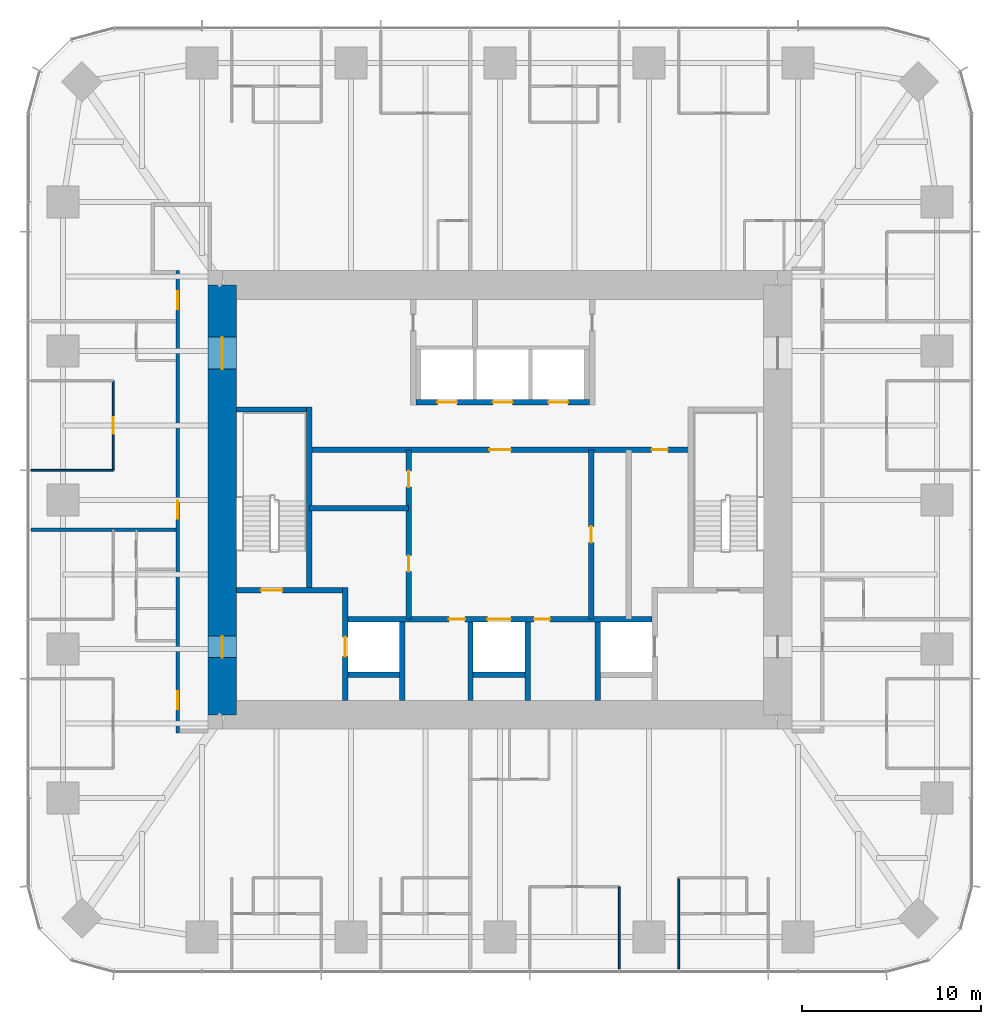
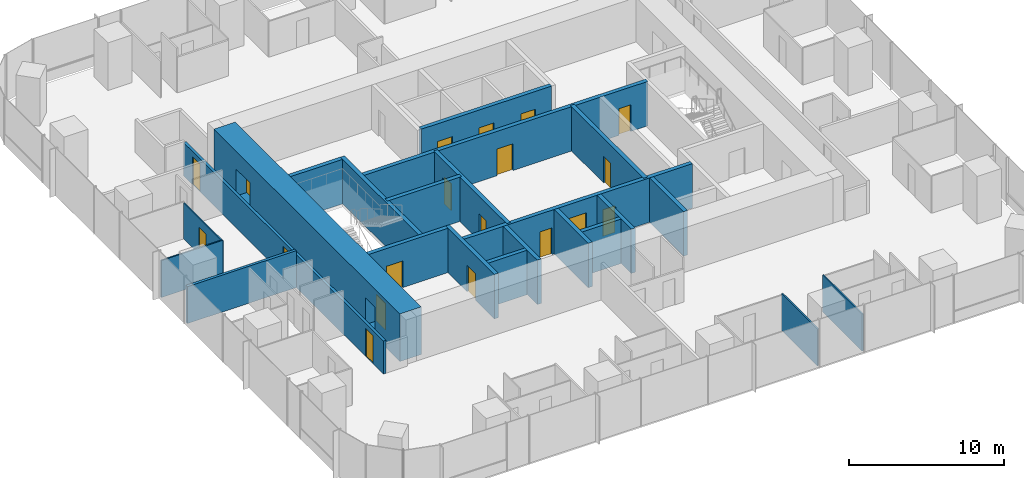
# One storey, part 9 of 12: 23 walls, 19 doors, 19 openings.
"""IFC4 building model written with IfcOpenShell, lengths in metres."""

from ifc_helpers import new_model, si_unit, direction, frame, frame_2d, origin, place, context, subcontext, project, spatial, rectangle, extrude, material, layer, layer_set, type_object, element, fill, save


model = new_model("IFC4")

# Units and contexts
model_context = context("Model", 3, precision=1e-05, world=origin(), true_north=direction((0.0, 1.0)))
body_context = subcontext(model_context, "Body", "Model", "MODEL_VIEW")
ifc_project = project(units=[si_unit("LENGTHUNIT", "METRE"), si_unit("AREAUNIT", "SQUARE_METRE"), si_unit("VOLUMEUNIT", "CUBIC_METRE"), si_unit("PLANEANGLEUNIT", "RADIAN"), si_unit("MASSUNIT", "GRAM", prefix="KILO")], contexts=[model_context])

# Site, building, storey
site_placement = place(None, origin())
site = spatial("IfcSite", under=ifc_project, at=site_placement, CompositionType="ELEMENT")
building_placement = place(site_placement, origin())
building = spatial("IfcBuilding", under=site, at=building_placement, Name="Khuree Lantern Residences", CompositionType="ELEMENT")
storey_placement = place(building_placement, frame((0.0, 0.0, 218.25)))
storey = spatial("IfcBuildingStorey", under=building, at=storey_placement, Name="L54", CompositionType="ELEMENT", Elevation=218.25)

# Wall, opening, door
ifc_material_1 = material(Name="Dense concrete blockwork", Category="masonry")
ifc_layer_1 = layer(ifc_material_1, 0.300048828125)
ifc_layer_set_1 = layer_set([ifc_layer_1], Name="CORE PARTITION WALL CPW300 EI 120")
wall_type_1 = type_object("IfcWallType", Name="CORE PARTITION WALL CPW300 EI 120", PredefinedType="PARTITIONING", material=ifc_layer_set_1)
wall_1_placement = place(storey_placement, frame((-8.64990234375, -11.199951171875, 0.0), z_axis=(0.0, 0.0, 1.0), x_axis=(0.0, 1.0, 0.0)))
wall_1 = element("IfcWall", 1, at=wall_1_placement, inside=storey, type_object=wall_type_1, Name="L54 CORE WALL FL1W", PredefinedType="PARTITIONING", context=body_context, shape_type="SweptSolid", body=[
    extrude(rectangle(XDim=6.300048828125, YDim=0.300048828125, at=frame_2d((3.14990234375, 0.0))), origin(), (0.0, 0.0, 1.0), 3.5),
])
opening_1_placement = place(wall_1_placement, frame((2.449951171875, 0.0, 0.0)))
opening_1 = element("IfcOpeningElement", 2, at=opening_1_placement, cuts=wall_1, Name="Opening 54-007", PredefinedType="OPENING", context=body_context, shape_type="SweptSolid", body=[
    extrude(rectangle(XDim=1.10009765625, YDim=2.10009765625, at=frame_2d((0.550048828125, 1.050048828125))), frame((0.0, 0.16015625, 0.0), z_axis=(0.0, -1.0, 0.0), x_axis=(1.0, 0.0, 0.0)), (0.0, 0.0, 1.0), 0.320068359375),
])
ifc_material_2 = material(Name="Stainless steel lift landing door", Category="steel")
door_type_1 = type_object("IfcDoorType", Name="LIFT LANDING DOOR 1100X2100 E 120", OperationType="DOUBLE_DOOR_SLIDING", PredefinedType="DOOR", material=ifc_material_2)
door_1_placement = place(opening_1_placement, origin())
door_1 = element("IfcDoor", 3, at=door_1_placement, inside=storey, type_object=door_type_1, Name="Landing door FL1 54-007", OperationType="DOUBLE_DOOR_SLIDING", OverallHeight=2.10009765625, OverallWidth=1.10009765625, PredefinedType="DOOR", context=body_context, shape_type="SweptSolid", body=[
    extrude(rectangle(XDim=1.10009765625, YDim=2.10009765625, at=frame_2d((0.550048828125, 1.050048828125))), frame((0.0, 0.02490234375, 0.0), z_axis=(0.0, -1.0, 0.0), x_axis=(1.0, 0.0, 0.0)), (0.0, 0.0, 1.0), 0.050048828125),
])
fill(opening_1, door_1)

# Wall, openings, doors
wall_2_placement = place(storey_placement, frame((-8.5, -6.64990234375, 0.0), z_axis=(0.0, 0.0, 1.0), x_axis=(1.0, 0.0, 0.0)))
wall_2 = element("IfcWall", 4, at=wall_2_placement, inside=storey, type_object=wall_type_1, Name="L54 CORE WALL FLROW", PredefinedType="PARTITIONING", context=body_context, shape_type="SweptSolid", body=[
    extrude(rectangle(XDim=17.0, YDim=0.300048828125, at=frame_2d((8.5, 0.0))), origin(), (0.0, 0.0, 1.0), 3.5),
])
opening_2_placement = place(wall_2_placement, frame((7.800048828125, 0.0, 0.0)))
opening_2 = element("IfcOpeningElement", 5, at=opening_2_placement, cuts=wall_2, Name="Opening 54-012", PredefinedType="OPENING", context=body_context, shape_type="SweptSolid", body=[
    extrude(rectangle(XDim=1.300048828125, YDim=2.39990234375, at=frame_2d((0.64990234375, 1.199951171875))), frame((0.0, 0.16015625, 0.0), z_axis=(0.0, -1.0, 0.0), x_axis=(1.0, 0.0, 0.0)), (0.0, 0.0, 1.0), 0.320068359375),
])
opening_3_placement = place(wall_2_placement, frame((5.64990234375, 0.0, 0.0)))
opening_3 = element("IfcOpeningElement", 6, at=opening_3_placement, cuts=wall_2, Name="Opening 54-014", PredefinedType="OPENING", context=body_context, shape_type="SweptSolid", body=[
    extrude(rectangle(XDim=0.89990234375, YDim=2.10009765625, at=frame_2d((0.449951171875, 1.050048828125))), frame((0.0, 0.16015625, 0.0), z_axis=(0.0, -1.0, 0.0), x_axis=(1.0, 0.0, 0.0)), (0.0, 0.0, 1.0), 0.320068359375),
])
opening_4_placement = place(wall_2_placement, frame((10.39990234375, 0.0, 0.0)))
opening_4 = element("IfcOpeningElement", 7, at=opening_4_placement, cuts=wall_2, Name="Opening 54-015", PredefinedType="OPENING", context=body_context, shape_type="SweptSolid", body=[
    extrude(rectangle(XDim=0.89990234375, YDim=2.10009765625, at=frame_2d((0.449951171875, 1.050048828125))), frame((0.0, 0.16015625, 0.0), z_axis=(0.0, -1.0, 0.0), x_axis=(1.0, 0.0, 0.0)), (0.0, 0.0, 1.0), 0.320068359375),
])
ifc_material_3 = material(Name="Steel door leaf in steel frame", Category="steel")
door_type_2 = type_object("IfcDoorType", Name="DOOR 900X2100 EI 60", OperationType="SINGLE_SWING_LEFT", PredefinedType="DOOR", material=ifc_material_3)
door_2_placement = place(opening_3_placement, origin())
door_2 = element("IfcDoor", 8, at=door_2_placement, inside=storey, type_object=door_type_2, Name="Refuse chute room door 54-014", OperationType="SINGLE_SWING_LEFT", OverallHeight=2.10009765625, OverallWidth=0.89990234375, PredefinedType="DOOR", context=body_context, shape_type="SweptSolid", body=[
    extrude(rectangle(XDim=0.89990234375, YDim=2.10009765625, at=frame_2d((0.449951171875, 1.050048828125))), frame((0.0, 0.02490234375, 0.0), z_axis=(0.0, -1.0, 0.0), x_axis=(1.0, 0.0, 0.0)), (0.0, 0.0, 1.0), 0.050048828125),
])
fill(opening_3, door_2)
door_type_3 = type_object("IfcDoorType", Name="DOOR 900X2100 EI 60 RIGHT HAND", OperationType="SINGLE_SWING_RIGHT", PredefinedType="DOOR", material=ifc_material_3)
door_3_placement = place(opening_4_placement, origin())
door_3 = element("IfcDoor", 9, at=door_3_placement, inside=storey, type_object=door_type_3, Name="Electrical and plumbing riser door 54-015", OperationType="SINGLE_SWING_RIGHT", OverallHeight=2.10009765625, OverallWidth=0.89990234375, PredefinedType="DOOR", context=body_context, shape_type="SweptSolid", body=[
    extrude(rectangle(XDim=0.89990234375, YDim=2.10009765625, at=frame_2d((0.449951171875, 1.050048828125))), frame((0.0, 0.02490234375, 0.0), z_axis=(0.0, -1.0, 0.0), x_axis=(1.0, 0.0, 0.0)), (0.0, 0.0, 1.0), 0.050048828125),
])
fill(opening_4, door_3)
door_type_4 = type_object("IfcDoorType", Name="LIFT LANDING DOOR 1300X2400 E 60", OperationType="DOUBLE_DOOR_SLIDING", PredefinedType="DOOR", material=ifc_material_2)
door_4_placement = place(opening_2_placement, origin())
door_4 = element("IfcDoor", 10, at=door_4_placement, inside=storey, type_object=door_type_4, Name="Landing door SL1 54-012", OperationType="DOUBLE_DOOR_SLIDING", OverallHeight=2.39990234375, OverallWidth=1.300048828125, PredefinedType="DOOR", context=body_context, shape_type="SweptSolid", body=[
    extrude(rectangle(XDim=1.300048828125, YDim=2.39990234375, at=frame_2d((0.64990234375, 1.199951171875))), frame((0.0, 0.02490234375, 0.0), z_axis=(0.0, -1.0, 0.0), x_axis=(1.0, 0.0, 0.0)), (0.0, 0.0, 1.0), 0.050048828125),
])
fill(opening_2, door_4)

# Walls
for number, where, z_axis, x_axis, name in (
    (11, (-5.449951171875, -11.199951171875, 0.0), (0.0, 0.0, 1.0), (0.0, 1.0, 0.0), "L54 CORE WALL FL1E"),
    (12, (-1.64990234375, -11.199951171875, 0.0), (0.0, 0.0, 1.0), (0.0, 1.0, 0.0), "L54 CORE WALL SL1W"),
    (13, (1.550048828125, -11.199951171875, 0.0), (0.0, 0.0, 1.0), (0.0, 1.0, 0.0), "L54 CORE WALL SL1E"),
    (14, (5.449951171875, -11.199951171875, 0.0), (0.0, 0.0, 1.0), (0.0, 1.0, 0.0), "L54 CORE WALL FL2W"),
):
    element("IfcWall", number, at=place(storey_placement, frame(where, z_axis=z_axis, x_axis=x_axis)), inside=storey, type_object=wall_type_1, Name=name, PredefinedType="PARTITIONING", context=body_context, shape_type="SweptSolid", body=[
        extrude(rectangle(XDim=4.39990234375, YDim=0.300048828125, at=frame_2d((2.199951171875, 0.0))), origin(), (0.0, 0.0, 1.0), 3.5),
    ])
for number, where, z_axis, x_axis, name in (
    (15, (-8.5, -9.75, 0.0), (0.0, 0.0, 1.0), (1.0, 0.0, 0.0), "L54 CORE WALL FL1S"),
    (16, (-1.5, -9.75, 0.0), (0.0, 0.0, 1.0), (1.0, 0.0, 0.0), "L54 CORE WALL SL1S"),
):
    element("IfcWall", number, at=place(storey_placement, frame(where, z_axis=z_axis, x_axis=x_axis)), inside=storey, type_object=wall_type_1, Name=name, PredefinedType="PARTITIONING", context=body_context, shape_type="SweptSolid", body=[
        extrude(rectangle(XDim=2.89990234375, YDim=0.300048828125, at=frame_2d((1.449951171875, 0.0))), origin(), (0.0, 0.0, 1.0), 3.5),
    ])

# Wall, openings, doors
wall_3_placement = place(storey_placement, frame((-4.699951171875, 5.449951171875, 0.0), z_axis=(0.0, 0.0, 1.0), x_axis=(1.0, 0.0, 0.0)))
wall_3 = element("IfcWall", 17, at=wall_3_placement, inside=storey, type_object=wall_type_1, Name="L54 CORE WALL PHS", PredefinedType="PARTITIONING", context=body_context, shape_type="SweptSolid", body=[
    extrude(rectangle(XDim=9.699951171875, YDim=0.300048828125, at=frame_2d((4.85009765625, 0.0))), origin(), (0.0, 0.0, 1.0), 3.5),
])
opening_5_placement = place(wall_3_placement, frame((1.199951171875, 0.0, 0.0)))
opening_5 = element("IfcOpeningElement", 18, at=opening_5_placement, cuts=wall_3, Name="Opening 54-009", PredefinedType="OPENING", context=body_context, shape_type="SweptSolid", body=[
    extrude(rectangle(XDim=1.10009765625, YDim=2.10009765625, at=frame_2d((0.550048828125, 1.050048828125))), frame((0.0, 0.16015625, 0.0), z_axis=(0.0, -1.0, 0.0), x_axis=(1.0, 0.0, 0.0)), (0.0, 0.0, 1.0), 0.320068359375),
])
opening_6_placement = place(wall_3_placement, frame((4.300048828125, 0.0, 0.0)))
opening_6 = element("IfcOpeningElement", 19, at=opening_6_placement, cuts=wall_3, Name="Opening 54-010", PredefinedType="OPENING", context=body_context, shape_type="SweptSolid", body=[
    extrude(rectangle(XDim=1.10009765625, YDim=2.10009765625, at=frame_2d((0.550048828125, 1.050048828125))), frame((0.0, 0.16015625, 0.0), z_axis=(0.0, -1.0, 0.0), x_axis=(1.0, 0.0, 0.0)), (0.0, 0.0, 1.0), 0.320068359375),
])
opening_7_placement = place(wall_3_placement, frame((7.39990234375, 0.0, 0.0)))
opening_7 = element("IfcOpeningElement", 20, at=opening_7_placement, cuts=wall_3, Name="Opening 54-011", PredefinedType="OPENING", context=body_context, shape_type="SweptSolid", body=[
    extrude(rectangle(XDim=1.10009765625, YDim=2.10009765625, at=frame_2d((0.550048828125, 1.050048828125))), frame((0.0, 0.16015625, 0.0), z_axis=(0.0, -1.0, 0.0), x_axis=(1.0, 0.0, 0.0)), (0.0, 0.0, 1.0), 0.320068359375),
])
door_type_5 = type_object("IfcDoorType", Name="LIFT LANDING DOOR 1100X2100 E 60", OperationType="DOUBLE_DOOR_SLIDING", PredefinedType="DOOR", material=ifc_material_2)
door_5_placement = place(opening_5_placement, origin())
door_5 = element("IfcDoor", 21, at=door_5_placement, inside=storey, type_object=door_type_5, Name="Landing door PH1 54-009", OperationType="DOUBLE_DOOR_SLIDING", OverallHeight=2.10009765625, OverallWidth=1.10009765625, PredefinedType="DOOR", context=body_context, shape_type="SweptSolid", body=[
    extrude(rectangle(XDim=1.10009765625, YDim=2.10009765625, at=frame_2d((0.550048828125, 1.050048828125))), frame((0.0, 0.02490234375, 0.0), z_axis=(0.0, -1.0, 0.0), x_axis=(1.0, 0.0, 0.0)), (0.0, 0.0, 1.0), 0.050048828125),
])
fill(opening_5, door_5)
door_6_placement = place(opening_6_placement, origin())
door_6 = element("IfcDoor", 22, at=door_6_placement, inside=storey, type_object=door_type_5, Name="Landing door PH2 54-010", OperationType="DOUBLE_DOOR_SLIDING", OverallHeight=2.10009765625, OverallWidth=1.10009765625, PredefinedType="DOOR", context=body_context, shape_type="SweptSolid", body=[
    extrude(rectangle(XDim=1.10009765625, YDim=2.10009765625, at=frame_2d((0.550048828125, 1.050048828125))), frame((0.0, 0.02490234375, 0.0), z_axis=(0.0, -1.0, 0.0), x_axis=(1.0, 0.0, 0.0)), (0.0, 0.0, 1.0), 0.050048828125),
])
fill(opening_6, door_6)
door_7_placement = place(opening_7_placement, origin())
door_7 = element("IfcDoor", 23, at=door_7_placement, inside=storey, type_object=door_type_5, Name="Landing door PH3 54-011", OperationType="DOUBLE_DOOR_SLIDING", OverallHeight=2.10009765625, OverallWidth=1.10009765625, PredefinedType="DOOR", context=body_context, shape_type="SweptSolid", body=[
    extrude(rectangle(XDim=1.10009765625, YDim=2.10009765625, at=frame_2d((0.550048828125, 1.050048828125))), frame((0.0, 0.02490234375, 0.0), z_axis=(0.0, -1.0, 0.0), x_axis=(1.0, 0.0, 0.0)), (0.0, 0.0, 1.0), 0.050048828125),
])
fill(opening_7, door_7)

wall_4_placement = place(storey_placement, frame((-10.64990234375, 2.800048828125, 0.0), z_axis=(0.0, 0.0, 1.0), x_axis=(1.0, 0.0, 0.0)))
wall_4 = element("IfcWall", 24, at=wall_4_placement, inside=storey, type_object=wall_type_1, Name="L54 CORE WALL LLS", PredefinedType="PARTITIONING", context=body_context, shape_type="SweptSolid", body=[
    extrude(rectangle(XDim=21.2998046875, YDim=0.300048828125, at=frame_2d((10.64990234375, 0.0))), origin(), (0.0, 0.0, 1.0), 3.5),
])
opening_8_placement = place(wall_4_placement, frame((10.050048828125, 0.0, 0.0)))
opening_8 = element("IfcOpeningElement", 25, at=opening_8_placement, cuts=wall_4, Name="Opening 54-013", PredefinedType="OPENING", context=body_context, shape_type="SweptSolid", body=[
    extrude(rectangle(XDim=1.199951171875, YDim=2.10009765625, at=frame_2d((0.60009765625, 1.050048828125))), frame((0.0, 0.16015625, 0.0), z_axis=(0.0, -1.0, 0.0), x_axis=(1.0, 0.0, 0.0)), (0.0, 0.0, 1.0), 0.320068359375),
])
opening_9_placement = place(wall_4_placement, frame((19.12109375, 0.0, 0.0)))
opening_9 = element("IfcOpeningElement", 26, at=opening_9_placement, cuts=wall_4, Name="Opening 54-019", PredefinedType="OPENING", context=body_context, shape_type="SweptSolid", body=[
    extrude(rectangle(XDim=0.89990234375, YDim=2.10009765625, at=frame_2d((0.449951171875, 1.050048828125))), frame((0.0, 0.16015625, 0.0), z_axis=(0.0, -1.0, 0.0), x_axis=(1.0, 0.0, 0.0)), (0.0, 0.0, 1.0), 0.320068359375),
])
door_type_6 = type_object("IfcDoorType", Name="DOOR 1200X2100 EI 60", OperationType="SINGLE_SWING_LEFT", PredefinedType="DOOR", material=ifc_material_3)
door_8_placement = place(opening_8_placement, origin())
door_8 = element("IfcDoor", 27, at=door_8_placement, inside=storey, type_object=door_type_6, Name="Service lift lobby door 54-013", OperationType="SINGLE_SWING_LEFT", OverallHeight=2.10009765625, OverallWidth=1.199951171875, PredefinedType="DOOR", context=body_context, shape_type="SweptSolid", body=[
    extrude(rectangle(XDim=1.199951171875, YDim=2.10009765625, at=frame_2d((0.60009765625, 1.050048828125))), frame((0.0, 0.02490234375, 0.0), z_axis=(0.0, -1.0, 0.0), x_axis=(1.0, 0.0, 0.0)), (0.0, 0.0, 1.0), 0.050048828125),
])
fill(opening_8, door_8)
ifc_material_4 = material(Name="Timber door leaf in hardwood frame", Category="wood")
door_type_7 = type_object("IfcDoorType", Name="DOOR 900X2100 RIGHT HAND", OperationType="SINGLE_SWING_RIGHT", PredefinedType="DOOR", material=ifc_material_4)
door_9_placement = place(opening_9_placement, origin())
door_9 = element("IfcDoor", 28, at=door_9_placement, inside=storey, type_object=door_type_7, Name="Residents' store door 54-019", OperationType="SINGLE_SWING_RIGHT", OverallHeight=2.10009765625, OverallWidth=0.89990234375, PredefinedType="DOOR", context=body_context, shape_type="SweptSolid", body=[
    extrude(rectangle(XDim=0.89990234375, YDim=2.10009765625, at=frame_2d((0.449951171875, 1.050048828125))), frame((0.0, 0.02490234375, 0.0), z_axis=(0.0, -1.0, 0.0), x_axis=(1.0, 0.0, 0.0)), (0.0, 0.0, 1.0), 0.050048828125),
])
fill(opening_9, door_9)

wall_5_placement = place(storey_placement, frame((-5.10009765625, -6.64990234375, 0.0), z_axis=(0.0, 0.0, 1.0), x_axis=(0.0, 1.0, 0.0)))
wall_5 = element("IfcWall", 29, at=wall_5_placement, inside=storey, type_object=wall_type_1, Name="L54 CORE WALL SVW", PredefinedType="PARTITIONING", context=body_context, shape_type="SweptSolid", body=[
    extrude(rectangle(XDim=9.449951171875, YDim=0.300048828125, at=frame_2d((4.72509765625, 0.0))), origin(), (0.0, 0.0, 1.0), 3.5),
])
opening_10_placement = place(wall_5_placement, frame((2.64794921875, 0.0, 0.0)))
opening_10 = element("IfcOpeningElement", 30, at=opening_10_placement, cuts=wall_5, Name="Opening 54-016", PredefinedType="OPENING", context=body_context, shape_type="SweptSolid", body=[
    extrude(rectangle(XDim=0.89990234375, YDim=2.10009765625, at=frame_2d((0.449951171875, 1.050048828125))), frame((0.0, 0.16015625, 0.0), z_axis=(0.0, -1.0, 0.0), x_axis=(1.0, 0.0, 0.0)), (0.0, 0.0, 1.0), 0.320068359375),
])
opening_11_placement = place(wall_5_placement, frame((7.373046875, 0.0, 0.0)))
opening_11 = element("IfcOpeningElement", 31, at=opening_11_placement, cuts=wall_5, Name="Opening 54-017", PredefinedType="OPENING", context=body_context, shape_type="SweptSolid", body=[
    extrude(rectangle(XDim=0.89990234375, YDim=2.10009765625, at=frame_2d((0.449951171875, 1.050048828125))), frame((0.0, 0.16015625, 0.0), z_axis=(0.0, -1.0, 0.0), x_axis=(1.0, 0.0, 0.0)), (0.0, 0.0, 1.0), 0.320068359375),
])
door_type_8 = type_object("IfcDoorType", Name="DOOR 900X2100", OperationType="SINGLE_SWING_LEFT", PredefinedType="DOOR", material=ifc_material_4)
door_10_placement = place(opening_10_placement, origin())
door_10 = element("IfcDoor", 32, at=door_10_placement, inside=storey, type_object=door_type_8, Name="Residents' store door 54-016", OperationType="SINGLE_SWING_LEFT", OverallHeight=2.10009765625, OverallWidth=0.89990234375, PredefinedType="DOOR", context=body_context, shape_type="SweptSolid", body=[
    extrude(rectangle(XDim=0.89990234375, YDim=2.10009765625, at=frame_2d((0.449951171875, 1.050048828125))), frame((0.0, 0.02490234375, 0.0), z_axis=(0.0, -1.0, 0.0), x_axis=(1.0, 0.0, 0.0)), (0.0, 0.0, 1.0), 0.050048828125),
])
fill(opening_10, door_10)
door_11_placement = place(opening_11_placement, origin())
door_11 = element("IfcDoor", 33, at=door_11_placement, inside=storey, type_object=door_type_8, Name="Bulky waste store door 54-017", OperationType="SINGLE_SWING_LEFT", OverallHeight=2.10009765625, OverallWidth=0.89990234375, PredefinedType="DOOR", context=body_context, shape_type="SweptSolid", body=[
    extrude(rectangle(XDim=0.89990234375, YDim=2.10009765625, at=frame_2d((0.449951171875, 1.050048828125))), frame((0.0, 0.02490234375, 0.0), z_axis=(0.0, -1.0, 0.0), x_axis=(1.0, 0.0, 0.0)), (0.0, 0.0, 1.0), 0.050048828125),
])
fill(opening_11, door_11)

# Wall, opening, door
wall_6_placement = place(storey_placement, frame((5.10009765625, -6.64990234375, 0.0), z_axis=(0.0, 0.0, 1.0), x_axis=(0.0, 1.0, 0.0)))
wall_6 = element("IfcWall", 34, at=wall_6_placement, inside=storey, type_object=wall_type_1, Name="L54 CORE WALL SVE", PredefinedType="PARTITIONING", context=body_context, shape_type="SweptSolid", body=[
    extrude(rectangle(XDim=9.449951171875, YDim=0.300048828125, at=frame_2d((4.72509765625, 0.0))), origin(), (0.0, 0.0, 1.0), 3.5),
])
opening_12_placement = place(wall_6_placement, frame((4.27490234375, 0.0, 0.0)))
opening_12 = element("IfcOpeningElement", 35, at=opening_12_placement, cuts=wall_6, Name="Opening 54-018", PredefinedType="OPENING", context=body_context, shape_type="SweptSolid", body=[
    extrude(rectangle(XDim=0.89990234375, YDim=2.10009765625, at=frame_2d((0.449951171875, 1.050048828125))), frame((0.0, 0.16015625, 0.0), z_axis=(0.0, -1.0, 0.0), x_axis=(1.0, 0.0, 0.0)), (0.0, 0.0, 1.0), 0.320068359375),
])
door_12_placement = place(opening_12_placement, origin())
door_12 = element("IfcDoor", 36, at=door_12_placement, inside=storey, type_object=door_type_8, Name="Parcel room door 54-018", OperationType="SINGLE_SWING_LEFT", OverallHeight=2.10009765625, OverallWidth=0.89990234375, PredefinedType="DOOR", context=body_context, shape_type="SweptSolid", body=[
    extrude(rectangle(XDim=0.89990234375, YDim=2.10009765625, at=frame_2d((0.449951171875, 1.050048828125))), frame((0.0, 0.02490234375, 0.0), z_axis=(0.0, -1.0, 0.0), x_axis=(1.0, 0.0, 0.0)), (0.0, 0.0, 1.0), 0.050048828125),
])
fill(opening_12, door_12)

# Wall
wall_7_placement = place(storey_placement, frame((-10.64990234375, -0.455078125, 0.0), z_axis=(0.0, 0.0, 1.0), x_axis=(1.0, 0.0, 0.0)))
element("IfcWall", 37, at=wall_7_placement, inside=storey, type_object=wall_type_1, Name="L54 CORE WALL WX", PredefinedType="PARTITIONING", context=body_context, shape_type="SweptSolid", body=[
    extrude(rectangle(XDim=5.5498046875, YDim=0.300048828125, at=frame_2d((2.77490234375, 0.0))), origin(), (0.0, 0.0, 1.0), 3.5),
])

# Wall, openings, doors
ifc_material_5 = material(Name="Gypsum board on steel studs", Category="steel")
ifc_layer_2 = layer(ifc_material_5, 0.199951171875)
ifc_layer_set_2 = layer_set([ifc_layer_2], Name="CORRIDOR WALL CRW200 EI 60")
wall_type_2 = type_object("IfcWallType", Name="CORRIDOR WALL CRW200 EI 60", PredefinedType="PARTITIONING", material=ifc_layer_set_2)
wall_8_placement = place(storey_placement, frame((-18.0, 12.800048828125, 0.0), z_axis=(0.0, 0.0, 1.0), x_axis=(0.0, -1.0, 0.0)))
wall_8 = element("IfcWall", 38, at=wall_8_placement, inside=storey, type_object=wall_type_2, Name="L54 CORRIDOR WALL WEST 1", PredefinedType="PARTITIONING", context=body_context, shape_type="SweptSolid", body=[
    extrude(rectangle(XDim=25.800048828125, YDim=0.199951171875, at=frame_2d((12.89990234375, 0.0))), origin(), (0.0, 0.0, 1.0), 2.60009765625),
])
opening_13_placement = place(wall_8_placement, frame((1.14990234375, 0.0, 0.0)))
opening_13 = element("IfcOpeningElement", 39, at=opening_13_placement, cuts=wall_8, Name="Opening 54-036", PredefinedType="OPENING", context=body_context, shape_type="SweptSolid", body=[
    extrude(rectangle(XDim=1.0, YDim=2.199951171875, at=frame_2d((0.5, 1.10009765625))), frame((0.0, 0.10986328125, 0.0), z_axis=(0.0, -1.0, 0.0), x_axis=(1.0, 0.0, 0.0)), (0.0, 0.0, 1.0), 0.219970703125),
])
opening_14_placement = place(wall_8_placement, frame((12.8359375, 0.0, 0.0)))
opening_14 = element("IfcOpeningElement", 40, at=opening_14_placement, cuts=wall_8, Name="Opening 54-039", PredefinedType="OPENING", context=body_context, shape_type="SweptSolid", body=[
    extrude(rectangle(XDim=1.0, YDim=2.199951171875, at=frame_2d((0.5, 1.10009765625))), frame((0.0, 0.10986328125, 0.0), z_axis=(0.0, -1.0, 0.0), x_axis=(1.0, 0.0, 0.0)), (0.0, 0.0, 1.0), 0.219970703125),
])
opening_15_placement = place(wall_8_placement, frame((23.48388671875, 0.0, 0.0)))
opening_15 = element("IfcOpeningElement", 41, at=opening_15_placement, cuts=wall_8, Name="Opening 54-049", PredefinedType="OPENING", context=body_context, shape_type="SweptSolid", body=[
    extrude(rectangle(XDim=1.0, YDim=2.199951171875, at=frame_2d((0.5, 1.10009765625))), frame((0.0, 0.10986328125, 0.0), z_axis=(0.0, -1.0, 0.0), x_axis=(1.0, 0.0, 0.0)), (0.0, 0.0, 1.0), 0.219970703125),
])
door_type_9 = type_object("IfcDoorType", Name="APARTMENT ENTRANCE DOOR 1000X2200 EI 30S", OperationType="SINGLE_SWING_LEFT", PredefinedType="DOOR", material=ifc_material_4)
door_13_placement = place(opening_13_placement, origin())
door_13 = element("IfcDoor", 42, at=door_13_placement, inside=storey, type_object=door_type_9, Name="Apartment 03 entrance door 54-036", OperationType="SINGLE_SWING_LEFT", OverallHeight=2.199951171875, OverallWidth=1.0, PredefinedType="DOOR", context=body_context, shape_type="SweptSolid", body=[
    extrude(rectangle(XDim=1.0, YDim=2.199951171875, at=frame_2d((0.5, 1.10009765625))), frame((0.0, 0.02490234375, 0.0), z_axis=(0.0, -1.0, 0.0), x_axis=(1.0, 0.0, 0.0)), (0.0, 0.0, 1.0), 0.050048828125),
])
fill(opening_13, door_13)
door_14_placement = place(opening_14_placement, origin())
door_14 = element("IfcDoor", 43, at=door_14_placement, inside=storey, type_object=door_type_9, Name="Apartment 04 entrance door 54-039", OperationType="SINGLE_SWING_LEFT", OverallHeight=2.199951171875, OverallWidth=1.0, PredefinedType="DOOR", context=body_context, shape_type="SweptSolid", body=[
    extrude(rectangle(XDim=1.0, YDim=2.199951171875, at=frame_2d((0.5, 1.10009765625))), frame((0.0, 0.02490234375, 0.0), z_axis=(0.0, -1.0, 0.0), x_axis=(1.0, 0.0, 0.0)), (0.0, 0.0, 1.0), 0.050048828125),
])
fill(opening_14, door_14)
door_type_10 = type_object("IfcDoorType", Name="APARTMENT ENTRANCE DOOR 1000X2200 EI 30S RIGHT HAND", OperationType="SINGLE_SWING_RIGHT", PredefinedType="DOOR", material=ifc_material_4)
door_15_placement = place(opening_15_placement, origin())
door_15 = element("IfcDoor", 44, at=door_15_placement, inside=storey, type_object=door_type_10, Name="Apartment 05 entrance door 54-049", OperationType="SINGLE_SWING_RIGHT", OverallHeight=2.199951171875, OverallWidth=1.0, PredefinedType="DOOR", context=body_context, shape_type="SweptSolid", body=[
    extrude(rectangle(XDim=1.0, YDim=2.199951171875, at=frame_2d((0.5, 1.10009765625))), frame((0.0, 0.02490234375, 0.0), z_axis=(0.0, -1.0, 0.0), x_axis=(1.0, 0.0, 0.0)), (0.0, 0.0, 1.0), 0.050048828125),
])
fill(opening_15, door_15)

ifc_material_6 = material(Name="Concrete C50/60", Category="concrete")
ifc_layer_3 = layer(ifc_material_6, 1.60009765625)
ifc_layer_set_3 = layer_set([ifc_layer_3], Name="CW1600-C50 CORE WALL C50 1600")
wall_type_3 = type_object("IfcWallType", Name="CW1600-C50 CORE WALL C50 1600", PredefinedType="SHEAR", material=ifc_layer_set_3)
wall_9_placement = place(storey_placement, frame((-15.5, -12.0, -0.25), z_axis=(0.0, 0.0, 1.0), x_axis=(0.0, 1.0, 0.0)))
wall_9 = element("IfcWall", 45, at=wall_9_placement, inside=storey, type_object=wall_type_3, Name="Core wall W", PredefinedType="SHEAR", context=body_context, shape_type="SweptSolid", body=[
    extrude(rectangle(XDim=24.0, YDim=1.60009765625, at=frame_2d((12.0, 0.0))), origin(), (0.0, 0.0, 1.0), 3.75),
])
opening_16_placement = place(wall_9_placement, frame((3.199951171875, 0.0, 0.25)))
opening_16 = element("IfcOpeningElement", 46, at=opening_16_placement, cuts=wall_9, Name="Opening 54-002", PredefinedType="OPENING", context=body_context, shape_type="SweptSolid", body=[
    extrude(rectangle(XDim=1.199951171875, YDim=2.10009765625, at=frame_2d((0.60009765625, 1.050048828125))), frame((0.0, 0.81005859375, 0.0), z_axis=(0.0, -1.0, 0.0), x_axis=(1.0, 0.0, 0.0)), (0.0, 0.0, 1.0), 1.6201171875),
])
opening_17_placement = place(wall_9_placement, frame((19.300048828125, 0.0, 0.25)))
opening_17 = element("IfcOpeningElement", 47, at=opening_17_placement, cuts=wall_9, Name="Opening 54-003", PredefinedType="OPENING", context=body_context, shape_type="SweptSolid", body=[
    extrude(rectangle(XDim=1.800048828125, YDim=2.10009765625, at=frame_2d((0.89990234375, 1.050048828125))), frame((0.0, 0.81005859375, 0.0), z_axis=(0.0, -1.0, 0.0), x_axis=(1.0, 0.0, 0.0)), (0.0, 0.0, 1.0), 1.6201171875),
])
door_type_11 = type_object("IfcDoorType", Name="LOBBY DOOR 1200X2100 EI 120", OperationType="SINGLE_SWING_LEFT", PredefinedType="DOOR", material=ifc_material_3)
door_16_placement = place(opening_16_placement, origin())
door_16 = element("IfcDoor", 48, at=door_16_placement, inside=storey, type_object=door_type_11, Name="Firefighting lobby door 54-002", OperationType="SINGLE_SWING_LEFT", OverallHeight=2.10009765625, OverallWidth=1.199951171875, PredefinedType="DOOR", context=body_context, shape_type="SweptSolid", body=[
    extrude(rectangle(XDim=1.199951171875, YDim=2.10009765625, at=frame_2d((0.60009765625, 1.050048828125))), frame((0.0, 0.02490234375, 0.0), z_axis=(0.0, -1.0, 0.0), x_axis=(1.0, 0.0, 0.0)), (0.0, 0.0, 1.0), 0.050048828125),
])
fill(opening_16, door_16)
door_type_12 = type_object("IfcDoorType", Name="LOBBY DOUBLE DOOR 1800X2100 EI 60", OperationType="DOUBLE_DOOR_SINGLE_SWING", PredefinedType="DOOR", material=ifc_material_3)
door_17_placement = place(opening_17_placement, origin())
door_17 = element("IfcDoor", 49, at=door_17_placement, inside=storey, type_object=door_type_12, Name="Lift lobby door 54-003", OperationType="DOUBLE_DOOR_SINGLE_SWING", OverallHeight=2.10009765625, OverallWidth=1.800048828125, PredefinedType="DOOR", context=body_context, shape_type="SweptSolid", body=[
    extrude(rectangle(XDim=1.800048828125, YDim=2.10009765625, at=frame_2d((0.89990234375, 1.050048828125))), frame((0.0, 0.02490234375, 0.0), z_axis=(0.0, -1.0, 0.0), x_axis=(1.0, 0.0, 0.0)), (0.0, 0.0, 1.0), 0.050048828125),
])
fill(opening_17, door_17)

# Walls
ifc_layer_4 = layer(ifc_material_5, 0.199951171875)
ifc_layer_set_4 = layer_set([ifc_layer_4], Name="DEMISING WALL DMW200 EI 90")
wall_type_4 = type_object("IfcWallType", Name="DEMISING WALL DMW200 EI 90", PredefinedType="PARTITIONING", material=ifc_layer_set_4)
wall_10_placement = place(storey_placement, frame((-18.10009765625, -1.6640625, 0.0), z_axis=(0.0, 0.0, 1.0), x_axis=(-1.0, 0.0, 0.0)))
element("IfcWall", 50, at=wall_10_placement, inside=storey, type_object=wall_type_4, Name="L54 DEMISING WALL 05", PredefinedType="PARTITIONING", context=body_context, shape_type="SweptSolid", body=[
    extrude(rectangle(XDim=8.099853515625, YDim=0.199951171875, at=frame_2d((4.0498046875, 0.0))), origin(), (0.0, 0.0, 1.0), 2.909912109375),
])
ifc_layer_5 = layer(ifc_material_5, 0.10009765625)
ifc_layer_set_5 = layer_set([ifc_layer_5], Name="PARTITION PT100")
wall_type_5 = type_object("IfcWallType", Name="PARTITION PT100", PredefinedType="PARTITIONING", material=ifc_layer_set_5)
for number, where, z_axis, x_axis, name in (
    (51, (-21.60009765625, 1.6640625, 0.0), (0.0, 0.0, 1.0), (-1.0, 0.0, 0.0), "L54 PARTITION 04"),
    (52, (6.656005859375, -21.60009765625, 0.0), (0.0, 0.0, 1.0), (0.0, -1.0, 0.0), "L54 PARTITION 06"),
):
    element("IfcWall", number, at=place(storey_placement, frame(where, z_axis=z_axis, x_axis=x_axis)), inside=storey, type_object=wall_type_5, Name=name, PredefinedType="PARTITIONING", context=body_context, shape_type="SweptSolid", body=[
        extrude(rectangle(XDim=4.599853515625, YDim=0.10009765625, at=frame_2d((2.2998046875, 0.0))), origin(), (0.0, 0.0, 1.0), 2.909912109375),
    ])
wall_11_placement = place(storey_placement, frame((9.98388671875, -21.094970703125, 0.0), z_axis=(0.0, 0.0, 1.0), x_axis=(0.0, -1.0, 0.0)))
element("IfcWall", 53, at=wall_11_placement, inside=storey, type_object=wall_type_5, Name="L54 PARTITION 06", PredefinedType="PARTITIONING", context=body_context, shape_type="SweptSolid", body=[
    extrude(rectangle(XDim=5.10498046875, YDim=0.10009765625, at=frame_2d((2.552490234375, 0.0))), origin(), (0.0, 0.0, 1.0), 2.909912109375),
])

# Wall, opening, door
wall_12_placement = place(storey_placement, frame((-21.60009765625, 6.656005859375, 0.0), z_axis=(0.0, 0.0, 1.0), x_axis=(0.0, -1.0, 0.0)))
wall_12 = element("IfcWall", 54, at=wall_12_placement, inside=storey, type_object=wall_type_5, Name="L54 PARTITION 04", PredefinedType="PARTITIONING", context=body_context, shape_type="SweptSolid", body=[
    extrude(rectangle(XDim=4.991943359375, YDim=0.10009765625, at=frame_2d((2.49609375, 0.0))), origin(), (0.0, 0.0, 1.0), 2.81005859375),
])
opening_18_placement = place(wall_12_placement, frame((2.0458984375, 0.0, 0.0)))
opening_18 = element("IfcOpeningElement", 55, at=opening_18_placement, cuts=wall_12, Name="Opening 54-037", PredefinedType="OPENING", context=body_context, shape_type="SweptSolid", body=[
    extrude(rectangle(XDim=0.89990234375, YDim=2.10009765625, at=frame_2d((0.449951171875, 1.050048828125))), frame((0.0, 0.06005859375, 0.0), z_axis=(0.0, -1.0, 0.0), x_axis=(1.0, 0.0, 0.0)), (0.0, 0.0, 1.0), 0.1201171875),
])
door_type_13 = type_object("IfcDoorType", Name="BEDROOM DOOR 900X2100", OperationType="SINGLE_SWING_LEFT", PredefinedType="DOOR", material=ifc_material_4)
door_18_placement = place(opening_18_placement, origin())
door_18 = element("IfcDoor", 56, at=door_18_placement, inside=storey, type_object=door_type_13, Name="Bedroom door 54-037", OperationType="SINGLE_SWING_LEFT", OverallHeight=2.10009765625, OverallWidth=0.89990234375, PredefinedType="DOOR", context=body_context, shape_type="SweptSolid", body=[
    extrude(rectangle(XDim=0.89990234375, YDim=2.10009765625, at=frame_2d((0.449951171875, 1.050048828125))), frame((0.0, 0.02490234375, 0.0), z_axis=(0.0, -1.0, 0.0), x_axis=(1.0, 0.0, 0.0)), (0.0, 0.0, 1.0), 0.050048828125),
])
fill(opening_18, door_18)

# Wall
ifc_layer_6 = layer(ifc_material_6, 0.300048828125)
ifc_layer_set_6 = layer_set([ifc_layer_6], Name="STAIR WALL SRW300 C50/60 REI 240")
wall_type_6 = type_object("IfcWallType", Name="STAIR WALL SRW300 C50/60 REI 240", PredefinedType="SOLIDWALL", material=ifc_layer_set_6)
wall_13_placement = place(storey_placement, frame((-10.64990234375, -4.89990234375, 0.0), z_axis=(0.0, 0.0, 1.0), x_axis=(0.0, 1.0, 0.0)))
element("IfcWall", 57, at=wall_13_placement, inside=storey, type_object=wall_type_6, Name="L54 STAIR WALL ST1E", PredefinedType="SOLIDWALL", context=body_context, shape_type="SweptSolid", body=[
    extrude(rectangle(XDim=10.099853515625, YDim=0.300048828125, at=frame_2d((5.0498046875, 0.0))), origin(), (0.0, 0.0, 1.0), 3.5),
])

# Wall, opening, door
wall_14_placement = place(storey_placement, frame((-14.699951171875, -5.050048828125, 0.0), z_axis=(0.0, 0.0, 1.0), x_axis=(1.0, 0.0, 0.0)))
wall_14 = element("IfcWall", 58, at=wall_14_placement, inside=storey, type_object=wall_type_6, Name="L54 STAIR WALL ST1S", PredefinedType="SOLIDWALL", context=body_context, shape_type="SweptSolid", body=[
    extrude(rectangle(XDim=5.89990234375, YDim=0.300048828125, at=frame_2d((2.949951171875, 0.0))), origin(), (0.0, 0.0, 1.0), 3.5),
])
opening_19_placement = place(wall_14_placement, frame((1.35009765625, 0.0, 0.0)))
opening_19 = element("IfcOpeningElement", 59, at=opening_19_placement, cuts=wall_14, Name="Opening 54-001", PredefinedType="OPENING", context=body_context, shape_type="SweptSolid", body=[
    extrude(rectangle(XDim=1.199951171875, YDim=2.10009765625, at=frame_2d((0.60009765625, 1.050048828125))), frame((0.0, 0.16015625, 0.0), z_axis=(0.0, -1.0, 0.0), x_axis=(1.0, 0.0, 0.0)), (0.0, 0.0, 1.0), 0.320068359375),
])
door_type_14 = type_object("IfcDoorType", Name="STAIR DOOR 1200X2100 EI 120", OperationType="SINGLE_SWING_LEFT", PredefinedType="DOOR", material=ifc_material_3)
door_19_placement = place(opening_19_placement, origin())
door_19 = element("IfcDoor", 60, at=door_19_placement, inside=storey, type_object=door_type_14, Name="Stair ST1 door 54-001", OperationType="SINGLE_SWING_LEFT", OverallHeight=2.10009765625, OverallWidth=1.199951171875, PredefinedType="DOOR", context=body_context, shape_type="SweptSolid", body=[
    extrude(rectangle(XDim=1.199951171875, YDim=2.10009765625, at=frame_2d((0.60009765625, 1.050048828125))), frame((0.0, 0.02490234375, 0.0), z_axis=(0.0, -1.0, 0.0), x_axis=(1.0, 0.0, 0.0)), (0.0, 0.0, 1.0), 0.050048828125),
])
fill(opening_19, door_19)

# Wall
wall_15_placement = place(storey_placement, frame((-14.699951171875, 5.050048828125, 0.0), z_axis=(0.0, 0.0, 1.0), x_axis=(1.0, 0.0, 0.0)))
element("IfcWall", 61, at=wall_15_placement, inside=storey, type_object=wall_type_6, Name="L54 STAIR WALL ST1N", PredefinedType="SOLIDWALL", context=body_context, shape_type="SweptSolid", body=[
    extrude(rectangle(XDim=3.89990234375, YDim=0.300048828125, at=frame_2d((1.949951171875, 0.0))), origin(), (0.0, 0.0, 1.0), 3.5),
])

save(model, "model.ifc")
